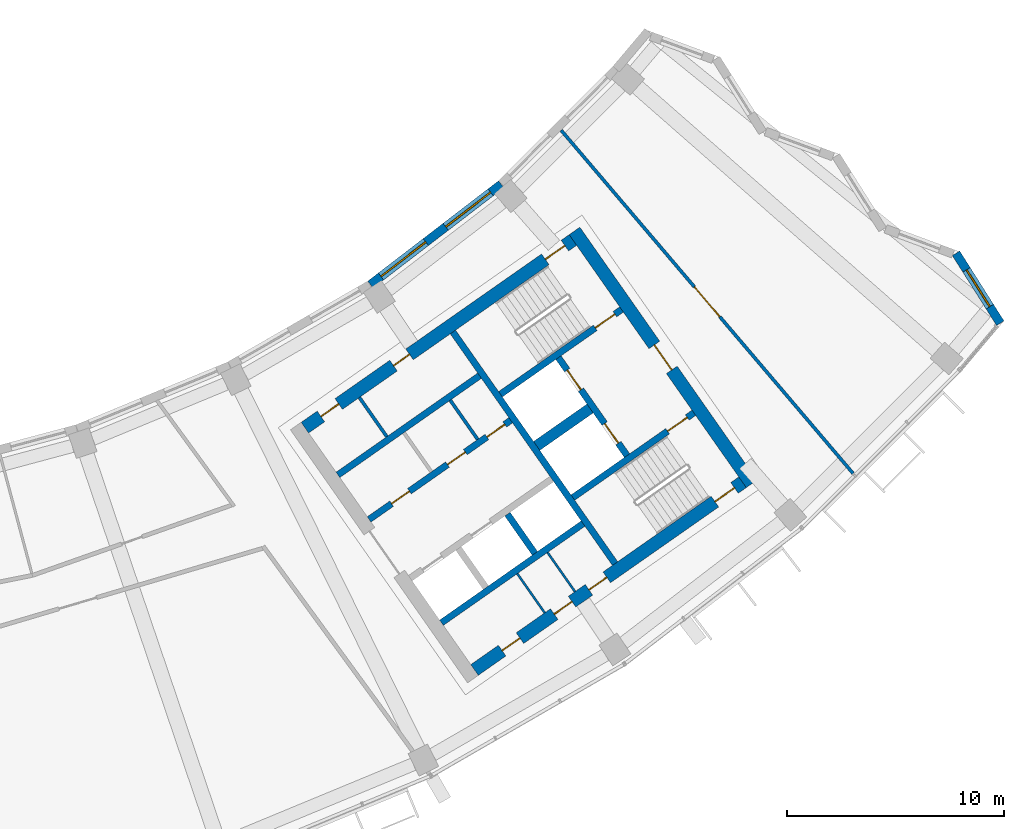
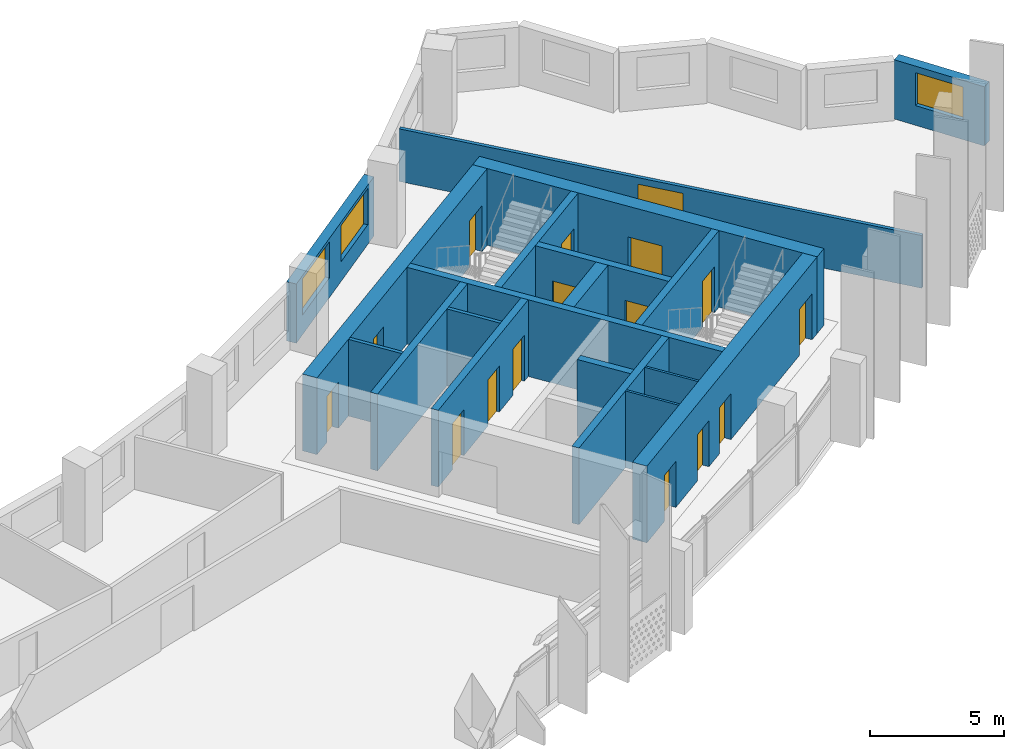
# One storey, part 7 of 28: 19 walls, 16 doors, 3 windows, 19 openings.
"""IFC4 building model written with IfcOpenShell, lengths in metres."""

from ifc_helpers import new_model, si_unit, direction, frame, frame_2d, origin, place, context, subcontext, project, spatial, rectangle, extrude, material, layer, layer_set, type_object, element, fill, save


model = new_model("IFC4")

# Units and contexts
model_context = context("Model", 3, precision=1e-05, world=origin(), true_north=direction((0.0, 1.0)))
body_context = subcontext(model_context, "Body", "Model", "MODEL_VIEW")
ifc_project = project(units=[si_unit("LENGTHUNIT", "METRE"), si_unit("AREAUNIT", "SQUARE_METRE"), si_unit("VOLUMEUNIT", "CUBIC_METRE"), si_unit("PLANEANGLEUNIT", "RADIAN"), si_unit("MASSUNIT", "GRAM", prefix="KILO")], contexts=[model_context])

# Site, building, storey
site_placement = place(None, origin())
site = spatial("IfcSite", under=ifc_project, at=site_placement, CompositionType="ELEMENT")
building_placement = place(site_placement, origin())
building = spatial("IfcBuilding", under=site, at=building_placement, Name="Qamariyya Broadcast Tower", CompositionType="ELEMENT")
storey_placement = place(building_placement, frame((0.0, 0.0, 234.10009765625)))
storey = spatial("IfcBuildingStorey", under=building, at=storey_placement, Name="L56", CompositionType="ELEMENT", Elevation=234.10009765625)

# Wall, opening, door
ifc_material_1 = material(Name="Concrete C60/75", Category="concrete")
ifc_layer_1 = layer(ifc_material_1, 0.60009765625)
ifc_layer_set_1 = layer_set([ifc_layer_1], Name="Core wall 600 mm Concrete C60/75")
wall_type_1 = type_object("IfcWallType", Name="Core wall 600 mm Concrete C60/75", PredefinedType="SHEAR", material=ifc_layer_set_1)
wall_1_placement = place(storey_placement, frame((49.4833984375, -57.031494140625, 0.0), z_axis=(0.0, 0.0, 1.0), x_axis=(-0.573560421458, 0.819163257805, 0.0)))
wall_1 = element("IfcWall", 1, at=wall_1_placement, inside=storey, type_object=wall_type_1, Name="k-E-L56-WH", PredefinedType="SHEAR", context=body_context, shape_type="SweptSolid", body=[
    extrude(rectangle(XDim=14.199951171875, YDim=0.60009765625, at=frame_2d((7.10009765625, 0.0))), origin(), (0.0, 0.0, 1.0), 3.5),
])
opening_1_placement = place(wall_1_placement, frame((6.39990234375, 0.0, 0.0)))
opening_1 = element("IfcOpeningElement", 2, at=opening_1_placement, cuts=wall_1, Name="Opening KD2-E1", PredefinedType="OPENING", context=body_context, shape_type="SweptSolid", body=[
    extrude(rectangle(XDim=1.39990234375, YDim=2.10009765625, at=frame_2d((0.699951171875, 1.050048828125))), frame((0.0, 0.31005859375, 0.0), z_axis=(0.0, -1.0, 0.0), x_axis=(1.0, 0.0, 0.0)), (0.0, 0.0, 1.0), 0.6201171875),
])
ifc_material_2 = material(Name="Steel fire-resisting door leaf", Category="steel")
door_type_1 = type_object("IfcDoorType", Name="Fire-fighting lobby door KD2", OperationType="DOUBLE_DOOR_SINGLE_SWING", PredefinedType="DOOR", material=ifc_material_2)
door_1_placement = place(opening_1_placement, origin())
door_1 = element("IfcDoor", 3, at=door_1_placement, inside=storey, type_object=door_type_1, Name="k-E-L56-WH-D14", OperationType="DOUBLE_DOOR_SINGLE_SWING", OverallHeight=2.10009765625, OverallWidth=1.39990234375, PredefinedType="DOOR", context=body_context, shape_type="SweptSolid", body=[
    extrude(rectangle(XDim=1.39990234375, YDim=2.10009765625, at=frame_2d((0.699951171875, 1.050048828125))), frame((0.0, 0.02490234375, 0.0), z_axis=(0.0, -1.0, 0.0), x_axis=(1.0, 0.0, 0.0)), (0.0, 0.0, 1.0), 0.050048828125),
])
fill(opening_1, door_1)

# Wall, openings, doors
wall_2_placement = place(storey_placement, frame((28.940673828125, -54.447021484375, 0.0), z_axis=(0.0, 0.0, 1.0), x_axis=(0.819153391756, 0.573574511963, 0.0)))
wall_2 = element("IfcWall", 4, at=wall_2_placement, inside=storey, type_object=wall_type_1, Name="k-E-L56-WI", PredefinedType="SHEAR", context=body_context, shape_type="SweptSolid", body=[
    extrude(rectangle(XDim=15.04541015625, YDim=0.60009765625, at=frame_2d((7.522705078125, 0.0))), origin(), (0.0, 0.0, 1.0), 3.5),
])
opening_2_placement = place(wall_2_placement, frame((0.89990234375, 0.0, 0.0)))
opening_2 = element("IfcOpeningElement", 5, at=opening_2_placement, cuts=wall_2, Name="Opening KD7-E1", PredefinedType="OPENING", context=body_context, shape_type="SweptSolid", body=[
    extrude(rectangle(XDim=1.0, YDim=2.10009765625, at=frame_2d((0.5, 1.050048828125))), frame((0.0, 0.31005859375, 0.0), z_axis=(0.0, -1.0, 0.0), x_axis=(1.0, 0.0, 0.0)), (0.0, 0.0, 1.0), 0.6201171875),
])
opening_3_placement = place(wall_2_placement, frame((4.97509765625, 0.0, 0.0)))
opening_3 = element("IfcOpeningElement", 6, at=opening_3_placement, cuts=wall_2, Name="Opening KD5-E1", PredefinedType="OPENING", context=body_context, shape_type="SweptSolid", body=[
    extrude(rectangle(XDim=0.89990234375, YDim=2.10009765625, at=frame_2d((0.449951171875, 1.050048828125))), frame((0.0, 0.31005859375, 0.0), z_axis=(0.0, -1.0, 0.0), x_axis=(1.0, 0.0, 0.0)), (0.0, 0.0, 1.0), 0.6201171875),
])
opening_4_placement = place(wall_2_placement, frame((13.495361328125, 0.0, 0.0)))
opening_4 = element("IfcOpeningElement", 7, at=opening_4_placement, cuts=wall_2, Name="Opening KD1-E1", PredefinedType="OPENING", context=body_context, shape_type="SweptSolid", body=[
    extrude(rectangle(XDim=1.10009765625, YDim=2.10009765625, at=frame_2d((0.550048828125, 1.050048828125))), frame((0.0, 0.31005859375, 0.0), z_axis=(0.0, -1.0, 0.0), x_axis=(1.0, 0.0, 0.0)), (0.0, 0.0, 1.0), 0.6201171875),
])
door_type_2 = type_object("IfcDoorType", Name="Accessible toilet door KD7", OperationType="SINGLE_SWING_LEFT", PredefinedType="DOOR", material=ifc_material_2)
door_2_placement = place(opening_2_placement, origin())
door_2 = element("IfcDoor", 8, at=door_2_placement, inside=storey, type_object=door_type_2, Name="k-E-L56-WI-D7", OperationType="SINGLE_SWING_LEFT", OverallHeight=2.10009765625, OverallWidth=1.0, PredefinedType="DOOR", context=body_context, shape_type="SweptSolid", body=[
    extrude(rectangle(XDim=1.0, YDim=2.10009765625, at=frame_2d((0.5, 1.050048828125))), frame((0.0, 0.02490234375, 0.0), z_axis=(0.0, -1.0, 0.0), x_axis=(1.0, 0.0, 0.0)), (0.0, 0.0, 1.0), 0.050048828125),
])
fill(opening_2, door_2)
door_type_3 = type_object("IfcDoorType", Name="Stair door KD1", OperationType="SINGLE_SWING_LEFT", PredefinedType="DOOR", material=ifc_material_2)
door_3_placement = place(opening_4_placement, origin())
door_3 = element("IfcDoor", 9, at=door_3_placement, inside=storey, type_object=door_type_3, Name="k-E-L56-WI-D15", OperationType="SINGLE_SWING_RIGHT", OverallHeight=2.10009765625, OverallWidth=1.10009765625, PredefinedType="DOOR", context=body_context, shape_type="SweptSolid", body=[
    extrude(rectangle(XDim=1.10009765625, YDim=2.10009765625, at=frame_2d((0.550048828125, 1.050048828125))), frame((0.0, 0.02490234375, 0.0), z_axis=(0.0, -1.0, 0.0), x_axis=(1.0, 0.0, 0.0)), (0.0, 0.0, 1.0), 0.050048828125),
])
fill(opening_4, door_3)
door_type_4 = type_object("IfcDoorType", Name="Toilet door KD5", OperationType="SINGLE_SWING_LEFT", PredefinedType="DOOR", material=ifc_material_2)
door_4_placement = place(opening_3_placement, origin())
door_4 = element("IfcDoor", 10, at=door_4_placement, inside=storey, type_object=door_type_4, Name="k-E-L56-WI-D8", OperationType="SINGLE_SWING_RIGHT", OverallHeight=2.10009765625, OverallWidth=0.89990234375, PredefinedType="DOOR", context=body_context, shape_type="SweptSolid", body=[
    extrude(rectangle(XDim=0.89990234375, YDim=2.10009765625, at=frame_2d((0.449951171875, 1.050048828125))), frame((0.0, 0.02490234375, 0.0), z_axis=(0.0, -1.0, 0.0), x_axis=(1.0, 0.0, 0.0)), (0.0, 0.0, 1.0), 0.050048828125),
])
fill(opening_3, door_4)

wall_3_placement = place(storey_placement, frame((36.7412109375, -65.58740234375, 0.0), z_axis=(0.0, 0.0, 1.0), x_axis=(0.819153391756, 0.573574511963, 0.0)))
wall_3 = element("IfcWall", 11, at=wall_3_placement, inside=storey, type_object=wall_type_1, Name="k-E-L56-WO", PredefinedType="SHEAR", context=body_context, shape_type="SweptSolid", body=[
    extrude(rectangle(XDim=15.04541015625, YDim=0.60009765625, at=frame_2d((7.522705078125, 0.0))), origin(), (0.0, 0.0, 1.0), 3.5),
])
opening_5_placement = place(wall_3_placement, frame((1.550048828125, 0.0, 0.0)))
opening_5 = element("IfcOpeningElement", 12, at=opening_5_placement, cuts=wall_3, Name="Opening KD4-E2", PredefinedType="OPENING", context=body_context, shape_type="SweptSolid", body=[
    extrude(rectangle(XDim=1.0, YDim=2.10009765625, at=frame_2d((0.5, 1.050048828125))), frame((0.0, 0.31005859375, 0.0), z_axis=(0.0, -1.0, 0.0), x_axis=(1.0, 0.0, 0.0)), (0.0, 0.0, 1.0), 0.6201171875),
])
opening_6_placement = place(wall_3_placement, frame((4.47509765625, 0.0, 0.0)))
opening_6 = element("IfcOpeningElement", 13, at=opening_6_placement, cuts=wall_3, Name="Opening KD4-E3", PredefinedType="OPENING", context=body_context, shape_type="SweptSolid", body=[
    extrude(rectangle(XDim=1.0, YDim=2.10009765625, at=frame_2d((0.5, 1.050048828125))), frame((0.0, 0.31005859375, 0.0), z_axis=(0.0, -1.0, 0.0), x_axis=(1.0, 0.0, 0.0)), (0.0, 0.0, 1.0), 0.6201171875),
])
opening_7_placement = place(wall_3_placement, frame((6.425048828125, 0.0, 0.0)))
opening_7 = element("IfcOpeningElement", 14, at=opening_7_placement, cuts=wall_3, Name="Opening KD4-E4", PredefinedType="OPENING", context=body_context, shape_type="SweptSolid", body=[
    extrude(rectangle(XDim=1.0, YDim=2.10009765625, at=frame_2d((0.5, 1.050048828125))), frame((0.0, 0.31005859375, 0.0), z_axis=(0.0, -1.0, 0.0), x_axis=(1.0, 0.0, 0.0)), (0.0, 0.0, 1.0), 0.6201171875),
])
opening_8_placement = place(wall_3_placement, frame((13.495361328125, 0.0, 0.0)))
opening_8 = element("IfcOpeningElement", 15, at=opening_8_placement, cuts=wall_3, Name="Opening KD1-E3", PredefinedType="OPENING", context=body_context, shape_type="SweptSolid", body=[
    extrude(rectangle(XDim=1.10009765625, YDim=2.10009765625, at=frame_2d((0.550048828125, 1.050048828125))), frame((0.0, 0.31005859375, 0.0), z_axis=(0.0, -1.0, 0.0), x_axis=(1.0, 0.0, 0.0)), (0.0, 0.0, 1.0), 0.6201171875),
])
door_type_5 = type_object("IfcDoorType", Name="Riser and plant door KD4", OperationType="SINGLE_SWING_LEFT", PredefinedType="DOOR", material=ifc_material_2)
door_5_placement = place(opening_5_placement, origin())
door_5 = element("IfcDoor", 16, at=door_5_placement, inside=storey, type_object=door_type_5, Name="k-E-L56-WO-D9", OperationType="SINGLE_SWING_LEFT", OverallHeight=2.10009765625, OverallWidth=1.0, PredefinedType="DOOR", context=body_context, shape_type="SweptSolid", body=[
    extrude(rectangle(XDim=1.0, YDim=2.10009765625, at=frame_2d((0.5, 1.050048828125))), frame((0.0, 0.02490234375, 0.0), z_axis=(0.0, -1.0, 0.0), x_axis=(1.0, 0.0, 0.0)), (0.0, 0.0, 1.0), 0.050048828125),
])
fill(opening_5, door_5)
door_6_placement = place(opening_6_placement, origin())
door_6 = element("IfcDoor", 17, at=door_6_placement, inside=storey, type_object=door_type_5, Name="k-E-L56-WO-D10", OperationType="SINGLE_SWING_RIGHT", OverallHeight=2.10009765625, OverallWidth=1.0, PredefinedType="DOOR", context=body_context, shape_type="SweptSolid", body=[
    extrude(rectangle(XDim=1.0, YDim=2.10009765625, at=frame_2d((0.5, 1.050048828125))), frame((0.0, 0.02490234375, 0.0), z_axis=(0.0, -1.0, 0.0), x_axis=(1.0, 0.0, 0.0)), (0.0, 0.0, 1.0), 0.050048828125),
])
fill(opening_6, door_6)
door_7_placement = place(opening_7_placement, origin())
door_7 = element("IfcDoor", 18, at=door_7_placement, inside=storey, type_object=door_type_5, Name="k-E-L56-WO-D11", OperationType="SINGLE_SWING_LEFT", OverallHeight=2.10009765625, OverallWidth=1.0, PredefinedType="DOOR", context=body_context, shape_type="SweptSolid", body=[
    extrude(rectangle(XDim=1.0, YDim=2.10009765625, at=frame_2d((0.5, 1.050048828125))), frame((0.0, 0.02490234375, 0.0), z_axis=(0.0, -1.0, 0.0), x_axis=(1.0, 0.0, 0.0)), (0.0, 0.0, 1.0), 0.050048828125),
])
fill(opening_7, door_7)
door_8_placement = place(opening_8_placement, origin())
door_8 = element("IfcDoor", 19, at=door_8_placement, inside=storey, type_object=door_type_3, Name="k-E-L56-WO-D17", OperationType="SINGLE_SWING_LEFT", OverallHeight=2.10009765625, OverallWidth=1.10009765625, PredefinedType="DOOR", context=body_context, shape_type="SweptSolid", body=[
    extrude(rectangle(XDim=1.10009765625, YDim=2.10009765625, at=frame_2d((0.550048828125, 1.050048828125))), frame((0.0, 0.02490234375, 0.0), z_axis=(0.0, -1.0, 0.0), x_axis=(1.0, 0.0, 0.0)), (0.0, 0.0, 1.0), 0.050048828125),
])
fill(opening_8, door_8)

# Wall, opening, door
ifc_material_3 = material(Name="Gypsum board partition")
ifc_layer_2 = layer(ifc_material_3, 0.14990234375)
ifc_layer_set_2 = layer_set([ifc_layer_2], Name="Corridor partition 150 EI 60")
wall_type_2 = type_object("IfcWallType", Name="Corridor partition 150 EI 60", PredefinedType="PARTITIONING", material=ifc_layer_set_2)
wall_4_placement = place(storey_placement, frame((40.724853515625, -40.7705078125, 0.0), z_axis=(0.0, 0.0, 1.0), x_axis=(0.647962636986, -0.761672121762, 0.0)))
wall_4 = element("IfcWall", 20, at=wall_4_placement, inside=storey, type_object=wall_type_2, Name="Partition L56-028", PredefinedType="PARTITIONING", context=body_context, shape_type="SweptSolid", body=[
    extrude(rectangle(XDim=20.723388671875, YDim=0.14990234375, at=frame_2d((10.36181640625, 0.0))), origin(), (0.0, 0.0, 1.0), 2.39990234375),
])
opening_9_placement = place(wall_4_placement, frame((9.461669921875, 0.0, 0.0)))
opening_9 = element("IfcOpeningElement", 21, at=opening_9_placement, cuts=wall_4, Name="Opening L56-D14", PredefinedType="OPENING", context=body_context, shape_type="SweptSolid", body=[
    extrude(rectangle(XDim=1.800048828125, YDim=2.10009765625, at=frame_2d((0.89990234375, 1.050048828125))), frame((0.0, 0.0849609375, 0.0), z_axis=(0.0, -1.0, 0.0), x_axis=(1.0, 0.0, 0.0)), (0.0, 0.0, 1.0), 0.169921875),
])
ifc_material_4 = material(Name="Timber fire door leaf", Category="wood")
door_type_6 = type_object("IfcDoorType", Name="Double fire door 1800 x 2100 FD60", OperationType="NOTDEFINED", PredefinedType="DOOR", material=ifc_material_4)
door_9_placement = place(opening_9_placement, origin())
door_9 = element("IfcDoor", 22, at=door_9_placement, inside=storey, type_object=door_type_6, Name="Door L56-D14", OperationType="DOUBLE_DOOR_SINGLE_SWING", OverallHeight=2.10009765625, OverallWidth=1.800048828125, PredefinedType="DOOR", context=body_context, shape_type="SweptSolid", body=[
    extrude(rectangle(XDim=1.800048828125, YDim=2.10009765625, at=frame_2d((0.89990234375, 1.050048828125))), frame((0.0, 0.02490234375, 0.0), z_axis=(0.0, -1.0, 0.0), x_axis=(1.0, 0.0, 0.0)), (0.0, 0.0, 1.0), 0.050048828125),
])
fill(opening_9, door_9)

# Walls
ifc_layer_3 = layer(ifc_material_1, 0.5)
ifc_layer_set_3 = layer_set([ifc_layer_3], Name="Fire-fighting lobby divider wall 500 mm Concrete C60/75")
wall_type_3 = type_object("IfcWallType", Name="Fire-fighting lobby divider wall 500 mm Concrete C60/75", PredefinedType="SOLIDWALL", material=ifc_layer_set_3)
wall_5_placement = place(storey_placement, frame((39.59912109375, -55.28515625, 0.0), z_axis=(0.0, 0.0, 1.0), x_axis=(0.819136323161, 0.573598887793, 0.0)))
element("IfcWall", 23, at=wall_5_placement, inside=storey, type_object=wall_type_3, Name="k-E-L56-FD", PredefinedType="SOLIDWALL", context=body_context, shape_type="SweptSolid", body=[
    extrude(rectangle(XDim=2.999755859375, YDim=0.5, at=frame_2d((1.5, 0.0))), origin(), (0.0, 0.0, 1.0), 3.5),
])
ifc_material_5 = material(Name="Gypsum board partition on steel studs", Category="steel")
ifc_layer_4 = layer(ifc_material_5, 0.14990234375)
ifc_layer_set_4 = layer_set([ifc_layer_4], Name="Gypsum board partition 150 mm")
wall_type_4 = type_object("IfcWallType", Name="Gypsum board partition 150 mm", PredefinedType="PARTITIONING", material=ifc_layer_set_4)
for number, where, z_axis, x_axis, name in (
    (24, (36.88720703125, -54.986572265625, 0.0), (0.0, 0.0, 1.0), (-0.573507030513, 0.819200638399, 0.0), "k-E-L56-NC620"),
    (25, (32.709228515625, -54.860107421875, 0.0), (0.0, 0.0, 1.0), (-0.573633636671, 0.819111989218, 0.0), "k-E-L56-NP285"),
):
    element("IfcWall", number, at=place(storey_placement, frame(where, z_axis=z_axis, x_axis=x_axis)), inside=storey, type_object=wall_type_4, Name=name, PredefinedType="PARTITIONING", context=body_context, shape_type="SweptSolid", body=[
        extrude(rectangle(XDim=2.199951171875, YDim=0.14990234375, at=frame_2d((1.10009765625, 0.0))), origin(), (0.0, 0.0, 1.0), 3.5),
    ])
ifc_layer_5 = layer(ifc_material_1, 0.300048828125)
ifc_layer_set_5 = layer_set([ifc_layer_5], Name="Lift shaft wall 300 mm Concrete C60/75")
wall_type_5 = type_object("IfcWallType", Name="Lift shaft wall 300 mm Concrete C60/75", PredefinedType="SOLIDWALL", material=ifc_layer_set_5)
wall_6_placement = place(storey_placement, frame((43.204345703125, -60.69580078125, 0.0), z_axis=(0.0, 0.0, 1.0), x_axis=(-0.573571992966, 0.819155155563, 0.0)))
element("IfcWall", 26, at=wall_6_placement, inside=storey, type_object=wall_type_5, Name="k-E-L56-WL", PredefinedType="SOLIDWALL", context=body_context, shape_type="SweptSolid", body=[
    extrude(rectangle(XDim=13.000244140625, YDim=0.300048828125, at=frame_2d((6.5, 0.0))), origin(), (0.0, 0.0, 1.0), 3.5),
])

# Wall, openings, doors
wall_7_placement = place(storey_placement, frame((31.89453125, -58.66552734375, 0.0), z_axis=(0.0, 0.0, 1.0), x_axis=(0.819166993208, 0.573555086491, 0.0)))
wall_7 = element("IfcWall", 27, at=wall_7_placement, inside=storey, type_object=wall_type_5, Name="k-E-L56-NF0", PredefinedType="SOLIDWALL", context=body_context, shape_type="SweptSolid", body=[
    extrude(rectangle(XDim=7.9501953125, YDim=0.300048828125, at=frame_2d((3.97509765625, 0.0))), origin(), (0.0, 0.0, 1.0), 3.5),
])
opening_10_placement = place(wall_7_placement, frame((1.262451171875, 0.0, 0.0)))
opening_10 = element("IfcOpeningElement", 28, at=opening_10_placement, cuts=wall_7, Name="Opening KD4-E1", PredefinedType="OPENING", context=body_context, shape_type="SweptSolid", body=[
    extrude(rectangle(XDim=1.0, YDim=2.10009765625, at=frame_2d((0.5, 1.050048828125))), frame((0.0, 0.159912109375, 0.0), z_axis=(0.0, -1.0, 0.0), x_axis=(1.0, 0.0, 0.0)), (0.0, 0.0, 1.0), 0.320068359375),
])
opening_11_placement = place(wall_7_placement, frame((4.39990234375, 0.0, 0.0)))
opening_11 = element("IfcOpeningElement", 29, at=opening_11_placement, cuts=wall_7, Name="Opening KD6-E1", PredefinedType="OPENING", context=body_context, shape_type="SweptSolid", body=[
    extrude(rectangle(XDim=1.0, YDim=2.10009765625, at=frame_2d((0.5, 1.050048828125))), frame((0.0, 0.159912109375, 0.0), z_axis=(0.0, -1.0, 0.0), x_axis=(1.0, 0.0, 0.0)), (0.0, 0.0, 1.0), 0.320068359375),
])
opening_12_placement = place(wall_7_placement, frame((6.612548828125, 0.0, 0.0)))
opening_12 = element("IfcOpeningElement", 30, at=opening_12_placement, cuts=wall_7, Name="Opening KD6-E2", PredefinedType="OPENING", context=body_context, shape_type="SweptSolid", body=[
    extrude(rectangle(XDim=1.0, YDim=2.10009765625, at=frame_2d((0.5, 1.050048828125))), frame((0.0, 0.159912109375, 0.0), z_axis=(0.0, -1.0, 0.0), x_axis=(1.0, 0.0, 0.0)), (0.0, 0.0, 1.0), 0.320068359375),
])
door_type_7 = type_object("IfcDoorType", Name="Core room door KD6", OperationType="SINGLE_SWING_LEFT", PredefinedType="DOOR", material=ifc_material_2)
door_10_placement = place(opening_11_placement, origin())
door_10 = element("IfcDoor", 31, at=door_10_placement, inside=storey, type_object=door_type_7, Name="k-E-L56-NF0-D3", OperationType="SINGLE_SWING_LEFT", OverallHeight=2.10009765625, OverallWidth=1.0, PredefinedType="DOOR", context=body_context, shape_type="SweptSolid", body=[
    extrude(rectangle(XDim=1.0, YDim=2.10009765625, at=frame_2d((0.5, 1.050048828125))), frame((0.0, 0.02490234375, 0.0), z_axis=(0.0, -1.0, 0.0), x_axis=(1.0, 0.0, 0.0)), (0.0, 0.0, 1.0), 0.050048828125),
])
fill(opening_11, door_10)
door_11_placement = place(opening_12_placement, origin())
door_11 = element("IfcDoor", 32, at=door_11_placement, inside=storey, type_object=door_type_7, Name="k-E-L56-NF0-D4", OperationType="SINGLE_SWING_RIGHT", OverallHeight=2.10009765625, OverallWidth=1.0, PredefinedType="DOOR", context=body_context, shape_type="SweptSolid", body=[
    extrude(rectangle(XDim=1.0, YDim=2.10009765625, at=frame_2d((0.5, 1.050048828125))), frame((0.0, 0.02490234375, 0.0), z_axis=(0.0, -1.0, 0.0), x_axis=(1.0, 0.0, 0.0)), (0.0, 0.0, 1.0), 0.050048828125),
])
fill(opening_12, door_11)
door_12_placement = place(opening_10_placement, origin())
door_12 = element("IfcDoor", 33, at=door_12_placement, inside=storey, type_object=door_type_5, Name="k-E-L56-NF0-D2", OperationType="SINGLE_SWING_RIGHT", OverallHeight=2.10009765625, OverallWidth=1.0, PredefinedType="DOOR", context=body_context, shape_type="SweptSolid", body=[
    extrude(rectangle(XDim=1.0, YDim=2.10009765625, at=frame_2d((0.5, 1.050048828125))), frame((0.0, 0.02490234375, 0.0), z_axis=(0.0, -1.0, 0.0), x_axis=(1.0, 0.0, 0.0)), (0.0, 0.0, 1.0), 0.050048828125),
])
fill(opening_10, door_12)

# Walls
wall_8_placement = place(storey_placement, frame((30.460693359375, -56.61767578125, 0.0), z_axis=(0.0, 0.0, 1.0), x_axis=(0.819142461705, 0.573590121456, 0.0)))
element("IfcWall", 34, at=wall_8_placement, inside=storey, type_object=wall_type_5, Name="k-E-L56-NB0", PredefinedType="SOLIDWALL", context=body_context, shape_type="SweptSolid", body=[
    extrude(rectangle(XDim=7.949951171875, YDim=0.300048828125, at=frame_2d((3.97509765625, 0.0))), origin(), (0.0, 0.0, 1.0), 3.5),
])
wall_9_placement = place(storey_placement, frame((35.22119140625, -63.41650390625, 0.0), z_axis=(0.0, 0.0, 1.0), x_axis=(0.819166993208, 0.573555086491, 0.0)))
element("IfcWall", 35, at=wall_9_placement, inside=storey, type_object=wall_type_5, Name="k-E-L56-SB0", PredefinedType="SOLIDWALL", context=body_context, shape_type="SweptSolid", body=[
    extrude(rectangle(XDim=7.9501953125, YDim=0.300048828125, at=frame_2d((3.97509765625, 0.0))), origin(), (0.0, 0.0, 1.0), 3.5),
])
wall_10_placement = place(storey_placement, frame((38.255859375, -58.423095703125, 0.0), z_axis=(0.0, 0.0, 1.0), x_axis=(0.573633636671, -0.819111989218, 0.0)))
element("IfcWall", 36, at=wall_10_placement, inside=storey, type_object=wall_type_5, Name="k-E-L56-SD1", PredefinedType="SOLIDWALL", context=body_context, shape_type="SweptSolid", body=[
    extrude(rectangle(XDim=2.199951171875, YDim=0.300048828125, at=frame_2d((1.10009765625, 0.0))), origin(), (0.0, 0.0, 1.0), 3.5),
])

# Wall, opening, door
wall_11_placement = place(storey_placement, frame((37.935546875, -52.90966796875, 0.0), z_axis=(0.0, 0.0, 1.0), x_axis=(0.819147518138, 0.57358290031, 0.0)))
wall_11 = element("IfcWall", 37, at=wall_11_placement, inside=storey, type_object=wall_type_5, Name="k-E-L56-NW", PredefinedType="SOLIDWALL", context=body_context, shape_type="SweptSolid", body=[
    extrude(rectangle(XDim=6.79541015625, YDim=0.300048828125, at=frame_2d((3.397705078125, 0.0))), origin(), (0.0, 0.0, 1.0), 3.5),
])
opening_13_placement = place(wall_11_placement, frame((5.3203125, 0.0, 0.0)))
opening_13 = element("IfcOpeningElement", 38, at=opening_13_placement, cuts=wall_11, Name="Opening KD1-E2", PredefinedType="OPENING", context=body_context, shape_type="SweptSolid", body=[
    extrude(rectangle(XDim=1.10009765625, YDim=2.10009765625, at=frame_2d((0.550048828125, 1.050048828125))), frame((0.0, 0.159912109375, 0.0), z_axis=(0.0, -1.0, 0.0), x_axis=(1.0, 0.0, 0.0)), (0.0, 0.0, 1.0), 0.320068359375),
])
door_13_placement = place(opening_13_placement, origin())
door_13 = element("IfcDoor", 39, at=door_13_placement, inside=storey, type_object=door_type_3, Name="k-E-L56-NW-D16", OperationType="SINGLE_SWING_RIGHT", OverallHeight=2.10009765625, OverallWidth=1.10009765625, PredefinedType="DOOR", context=body_context, shape_type="SweptSolid", body=[
    extrude(rectangle(XDim=1.10009765625, YDim=2.10009765625, at=frame_2d((0.550048828125, 1.050048828125))), frame((0.0, 0.02490234375, 0.0), z_axis=(0.0, -1.0, 0.0), x_axis=(1.0, 0.0, 0.0)), (0.0, 0.0, 1.0), 0.050048828125),
])
fill(opening_13, door_13)

wall_12_placement = place(storey_placement, frame((41.262451171875, -57.66064453125, 0.0), z_axis=(0.0, 0.0, 1.0), x_axis=(0.819164398642, 0.573558792102, 0.0)))
wall_12 = element("IfcWall", 40, at=wall_12_placement, inside=storey, type_object=wall_type_5, Name="k-E-L56-SW", PredefinedType="SOLIDWALL", context=body_context, shape_type="SweptSolid", body=[
    extrude(rectangle(XDim=6.795166015625, YDim=0.300048828125, at=frame_2d((3.3974609375, 0.0))), origin(), (0.0, 0.0, 1.0), 3.5),
])
opening_14_placement = place(wall_12_placement, frame((5.3203125, 0.0, 0.0)))
opening_14 = element("IfcOpeningElement", 41, at=opening_14_placement, cuts=wall_12, Name="Opening KD1-E4", PredefinedType="OPENING", context=body_context, shape_type="SweptSolid", body=[
    extrude(rectangle(XDim=1.10009765625, YDim=2.10009765625, at=frame_2d((0.550048828125, 1.050048828125))), frame((0.0, 0.159912109375, 0.0), z_axis=(0.0, -1.0, 0.0), x_axis=(1.0, 0.0, 0.0)), (0.0, 0.0, 1.0), 0.320068359375),
])
door_14_placement = place(opening_14_placement, origin())
door_14 = element("IfcDoor", 42, at=door_14_placement, inside=storey, type_object=door_type_3, Name="k-E-L56-SW-D18", OperationType="SINGLE_SWING_RIGHT", OverallHeight=2.10009765625, OverallWidth=1.10009765625, PredefinedType="DOOR", context=body_context, shape_type="SweptSolid", body=[
    extrude(rectangle(XDim=1.10009765625, YDim=2.10009765625, at=frame_2d((0.550048828125, 1.050048828125))), frame((0.0, 0.02490234375, 0.0), z_axis=(0.0, -1.0, 0.0), x_axis=(1.0, 0.0, 0.0)), (0.0, 0.0, 1.0), 0.050048828125),
])
fill(opening_14, door_14)

# Wall, openings, doors
wall_13_placement = place(storey_placement, frame((43.756591796875, -55.731201171875, 0.0), z_axis=(0.0, 0.0, 1.0), x_axis=(-0.573536818435, 0.819179783625, 0.0)))
wall_13 = element("IfcWall", 43, at=wall_13_placement, inside=storey, type_object=wall_type_5, Name="k-E-L56-FF", PredefinedType="SOLIDWALL", context=body_context, shape_type="SweptSolid", body=[
    extrude(rectangle(XDim=5.500244140625, YDim=0.300048828125, at=frame_2d((2.75, 0.0))), origin(), (0.0, 0.0, 1.0), 3.5),
])
opening_15_placement = place(wall_13_placement, frame((0.699951171875, 0.0, 0.0)))
opening_15 = element("IfcOpeningElement", 44, at=opening_15_placement, cuts=wall_13, Name="Opening LD", PredefinedType="OPENING", context=body_context, shape_type="SweptSolid", body=[
    extrude(rectangle(XDim=1.10009765625, YDim=2.10009765625, at=frame_2d((0.550048828125, 1.050048828125))), frame((0.0, 0.159912109375, 0.0), z_axis=(0.0, -1.0, 0.0), x_axis=(1.0, 0.0, 0.0)), (0.0, 0.0, 1.0), 0.320068359375),
])
opening_16_placement = place(wall_13_placement, frame((3.699951171875, 0.0, 0.0)))
opening_16 = element("IfcOpeningElement", 45, at=opening_16_placement, cuts=wall_13, Name="Opening LD", PredefinedType="OPENING", context=body_context, shape_type="SweptSolid", body=[
    extrude(rectangle(XDim=1.10009765625, YDim=2.10009765625, at=frame_2d((0.550048828125, 1.050048828125))), frame((0.0, 0.159912109375, 0.0), z_axis=(0.0, -1.0, 0.0), x_axis=(1.0, 0.0, 0.0)), (0.0, 0.0, 1.0), 0.320068359375),
])
door_type_8 = type_object("IfcDoorType", Name="Lift landing door LD", OperationType="DOUBLE_DOOR_SLIDING", PredefinedType="DOOR", material=ifc_material_2)
door_15_placement = place(opening_15_placement, origin())
door_15 = element("IfcDoor", 46, at=door_15_placement, inside=storey, type_object=door_type_8, Name="k-E-L56-FF-D12", OperationType="DOUBLE_DOOR_SLIDING", OverallHeight=2.10009765625, OverallWidth=1.10009765625, PredefinedType="DOOR", context=body_context, shape_type="SweptSolid", body=[
    extrude(rectangle(XDim=1.10009765625, YDim=2.10009765625, at=frame_2d((0.550048828125, 1.050048828125))), frame((0.0, 0.02490234375, 0.0), z_axis=(0.0, -1.0, 0.0), x_axis=(1.0, 0.0, 0.0)), (0.0, 0.0, 1.0), 0.050048828125),
])
fill(opening_15, door_15)
door_16_placement = place(opening_16_placement, origin())
door_16 = element("IfcDoor", 47, at=door_16_placement, inside=storey, type_object=door_type_8, Name="k-E-L56-FF-D13", OperationType="DOUBLE_DOOR_SLIDING", OverallHeight=2.10009765625, OverallWidth=1.10009765625, PredefinedType="DOOR", context=body_context, shape_type="SweptSolid", body=[
    extrude(rectangle(XDim=1.10009765625, YDim=2.10009765625, at=frame_2d((0.550048828125, 1.050048828125))), frame((0.0, 0.02490234375, 0.0), z_axis=(0.0, -1.0, 0.0), x_axis=(1.0, 0.0, 0.0)), (0.0, 0.0, 1.0), 0.050048828125),
])
fill(opening_16, door_16)

# Walls
ifc_material_6 = material(Name="Fire-rated gypsum shaft liner on steel studs", Category="steel")
ifc_layer_6 = layer(ifc_material_6, 0.10009765625)
ifc_layer_set_6 = layer_set([ifc_layer_6], Name="Riser wall 100 mm")
wall_type_6 = type_object("IfcWallType", Name="Riser wall 100 mm", PredefinedType="PLUMBINGWALL", material=ifc_layer_set_6)
for number, where, z_axis, x_axis, name in (
    (48, (38.706787109375, -61.1591796875, 0.0), (0.0, 0.0, 1.0), (0.573633636671, -0.819111989218, 0.0), "k-E-L56-SP415"),
    (49, (40.099365234375, -60.18408203125, 0.0), (0.0, 0.0, 1.0), (0.573633636671, -0.819111989218, 0.0), "k-E-L56-SP585"),
):
    element("IfcWall", number, at=place(storey_placement, frame(where, z_axis=z_axis, x_axis=x_axis)), inside=storey, type_object=wall_type_6, Name=name, PredefinedType="PLUMBINGWALL", context=body_context, shape_type="SweptSolid", body=[
        extrude(rectangle(XDim=2.199951171875, YDim=0.10009765625, at=frame_2d((1.10009765625, 0.0))), origin(), (0.0, 0.0, 1.0), 3.5),
    ])

# Wall, opening, window
ifc_material_7 = material(Name="Terracotta", Category="masonry")
ifc_layer_7 = layer(ifc_material_7, 0.39990234375)
ifc_layer_set_7 = layer_set([ifc_layer_7], Name="Terracotta clad wall 400")
wall_type_7 = type_object("IfcWallType", Name="Terracotta clad wall 400", PredefinedType="SOLIDWALL", material=ifc_layer_set_7)
wall_14_placement = place(storey_placement, frame((60.919921875, -49.64453125, 0.0), z_axis=(0.0, 0.0, 1.0), x_axis=(-0.534841620775, 0.844952330423, 0.0)))
wall_14 = element("IfcWall", 50, at=wall_14_placement, inside=storey, type_object=wall_type_7, Name="e-wl-L56-capE0", PredefinedType="SOLIDWALL", context=body_context, shape_type="SweptSolid", body=[
    extrude(rectangle(XDim=3.808837890625, YDim=0.39990234375, at=frame_2d((1.904296875, 0.0))), origin(), (0.0, 0.0, 1.0), 2.699951171875),
])
opening_17_placement = place(wall_14_placement, frame((0.904296875, 0.0, 0.89990234375)))
opening_17 = element("IfcOpeningElement", 51, at=opening_17_placement, cuts=wall_14, Name="Opening W4", PredefinedType="OPENING", context=body_context, shape_type="SweptSolid", body=[
    extrude(rectangle(XDim=2.0, YDim=1.5, at=frame_2d((1.0, 0.75))), frame((0.0, 0.2099609375, 0.0), z_axis=(0.0, -1.0, 0.0), x_axis=(1.0, 0.0, 0.0)), (0.0, 0.0, 1.0), 0.419921875),
])
ifc_material_8 = material(Name="Clear low-e double glazed unit in aluminium frame", Category="aluminium")
window_type_1 = type_object("IfcWindowType", Name="Horn bay window 2000 x 1500", PartitioningType="SINGLE_PANEL", PredefinedType="WINDOW", material=ifc_material_8)
window_1_placement = place(opening_17_placement, origin())
window_1 = element("IfcWindow", 52, at=window_1_placement, inside=storey, type_object=window_type_1, Name="e-w-L56-capE0", OverallHeight=1.5, OverallWidth=2.0, PartitioningType="SINGLE_PANEL", PredefinedType="WINDOW", context=body_context, shape_type="SweptSolid", body=[
    extrude(rectangle(XDim=2.0, YDim=1.5, at=frame_2d((1.0, 0.75))), frame((0.0, 0.030029296875, 0.0), z_axis=(0.0, -1.0, 0.0), x_axis=(1.0, 0.0, 0.0)), (0.0, 0.0, 1.0), 0.06005859375),
])
fill(opening_17, window_1)

# Wall, openings, windows
wall_15_placement = place(storey_placement, frame((37.965576171875, -43.25341796875, 0.0), z_axis=(0.0, 0.0, 1.0), x_axis=(-0.793356365089, -0.608757486995, 0.0)))
wall_15 = element("IfcWall", 53, at=wall_15_placement, inside=storey, type_object=wall_type_7, Name="e-wl-L56-in130", PredefinedType="SOLIDWALL", context=body_context, shape_type="SweptSolid", body=[
    extrude(rectangle(XDim=7.578125, YDim=0.39990234375, at=frame_2d((3.7890625, 0.0))), origin(), (0.0, 0.0, 1.0), 2.699951171875),
])
opening_18_placement = place(wall_15_placement, frame((4.364501953125, 0.0, 0.89990234375)))
opening_18 = element("IfcOpeningElement", 54, at=opening_18_placement, cuts=wall_15, Name="Opening W1", PredefinedType="OPENING", context=body_context, shape_type="SweptSolid", body=[
    extrude(rectangle(XDim=2.60009765625, YDim=1.64990234375, at=frame_2d((1.300048828125, 0.824951171875))), frame((0.0, 0.2099609375, 0.0), z_axis=(0.0, -1.0, 0.0), x_axis=(1.0, 0.0, 0.0)), (0.0, 0.0, 1.0), 0.419921875),
])
opening_19_placement = place(wall_15_placement, frame((0.613525390625, 0.0, 0.89990234375)))
opening_19 = element("IfcOpeningElement", 55, at=opening_19_placement, cuts=wall_15, Name="Opening W1", PredefinedType="OPENING", context=body_context, shape_type="SweptSolid", body=[
    extrude(rectangle(XDim=2.60009765625, YDim=1.64990234375, at=frame_2d((1.300048828125, 0.824951171875))), frame((0.0, 0.2099609375, 0.0), z_axis=(0.0, -1.0, 0.0), x_axis=(1.0, 0.0, 0.0)), (0.0, 0.0, 1.0), 0.419921875),
])
window_type_2 = type_object("IfcWindowType", Name="Ribbon window 2600 x 1650", PartitioningType="SINGLE_PANEL", PredefinedType="WINDOW", material=ifc_material_8)
window_2_placement = place(opening_18_placement, origin())
window_2 = element("IfcWindow", 56, at=window_2_placement, inside=storey, type_object=window_type_2, Name="e-w-L56-in13-0", OverallHeight=1.64990234375, OverallWidth=2.60009765625, PartitioningType="SINGLE_PANEL", PredefinedType="WINDOW", context=body_context, shape_type="SweptSolid", body=[
    extrude(rectangle(XDim=2.60009765625, YDim=1.64990234375, at=frame_2d((1.300048828125, 0.824951171875))), frame((0.0, 0.030029296875, 0.0), z_axis=(0.0, -1.0, 0.0), x_axis=(1.0, 0.0, 0.0)), (0.0, 0.0, 1.0), 0.06005859375),
])
fill(opening_18, window_2)
window_3_placement = place(opening_19_placement, origin())
window_3 = element("IfcWindow", 57, at=window_3_placement, inside=storey, type_object=window_type_2, Name="e-w-L56-in13-1", OverallHeight=1.64990234375, OverallWidth=2.60009765625, PartitioningType="SINGLE_PANEL", PredefinedType="WINDOW", context=body_context, shape_type="SweptSolid", body=[
    extrude(rectangle(XDim=2.60009765625, YDim=1.64990234375, at=frame_2d((1.300048828125, 0.824951171875))), frame((0.0, 0.030029296875, 0.0), z_axis=(0.0, -1.0, 0.0), x_axis=(1.0, 0.0, 0.0)), (0.0, 0.0, 1.0), 0.06005859375),
])
fill(opening_19, window_3)

save(model, "model.ifc")
